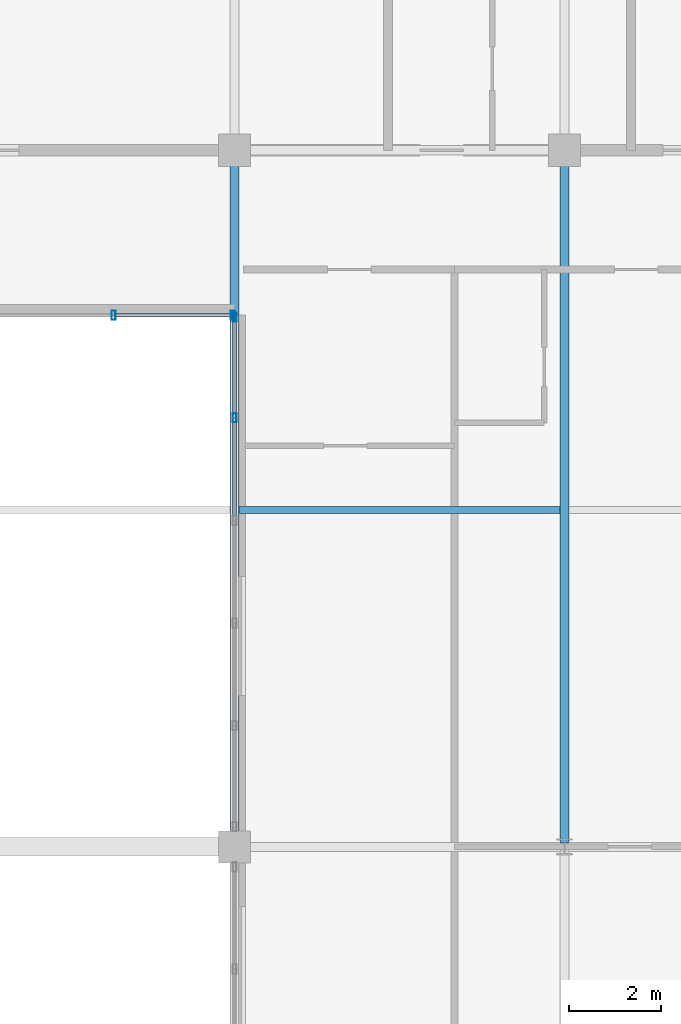
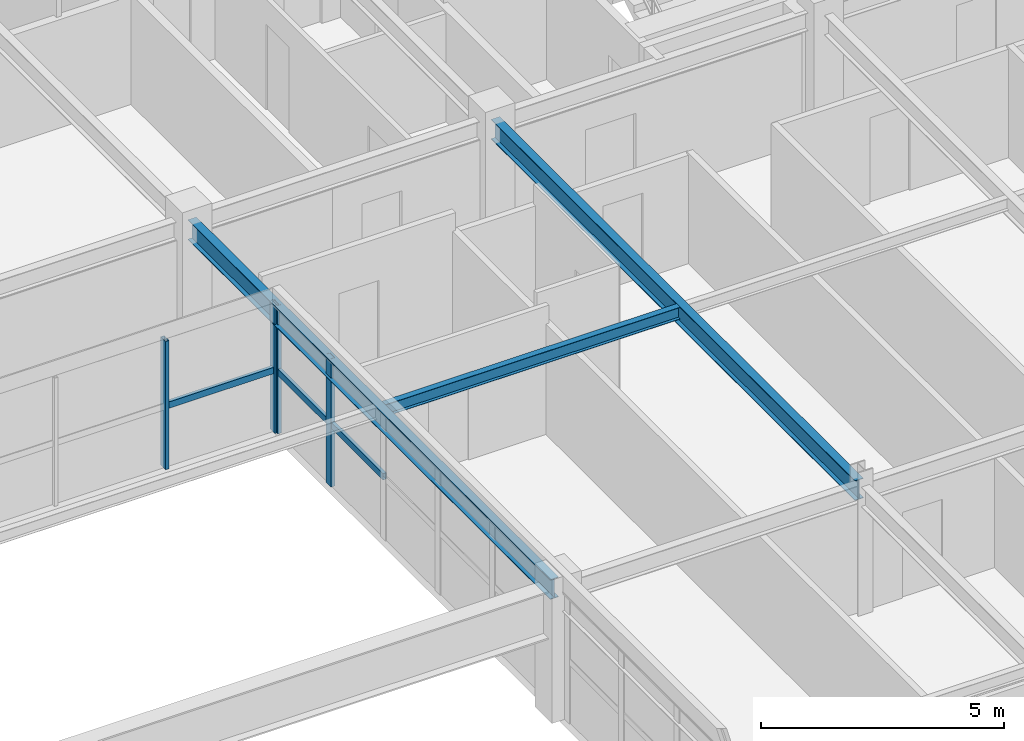
# One storey, part 17 of 37: 7 members, 3 beams, 2 elements without a shape of their own.
"""IFC4 building model written with IfcOpenShell, lengths in metres."""

from ifc_helpers import new_model, si_unit, direction, frame, origin, origin_2d, place, context, subcontext, project, spatial, hollow_rectangle, i_section, extrude, source, transform, mapped, material, material_profile, profile_set, type_object, element, aggregate, save


model = new_model("IFC4")

# Units and contexts
model_context = context("Model", 3, precision=1e-05, world=origin(), true_north=direction((0.0, 1.0)))
body_context = subcontext(model_context, "Body", "Model", "MODEL_VIEW")
ifc_project = project(units=[si_unit("LENGTHUNIT", "METRE"), si_unit("AREAUNIT", "SQUARE_METRE"), si_unit("VOLUMEUNIT", "CUBIC_METRE"), si_unit("PLANEANGLEUNIT", "RADIAN"), si_unit("MASSUNIT", "GRAM", prefix="KILO")], contexts=[model_context])

# Site, building, storey
site_placement = place(None, origin())
site = spatial("IfcSite", under=ifc_project, at=site_placement, CompositionType="ELEMENT")
building_placement = place(site_placement, origin())
building = spatial("IfcBuilding", under=site, at=building_placement, Name="Trelvane Seafront Commons", CompositionType="ELEMENT")
storey_placement = place(building_placement, frame((0.0, 0.0, 201.300048828125)))
storey = spatial("IfcBuildingStorey", under=building, at=storey_placement, Name="L52", CompositionType="ELEMENT", Elevation=201.300048828125)

# Beams
ifc_material_1 = material(Name="Steel SM355 (S355)", Category="steel")
ifc_material_profile_1 = material_profile(ifc_material_1, i_section(OverallWidth=0.199951171875, OverallDepth=0.5, WebThickness=0.010009765625, FlangeThickness=0.01611328125, at=origin_2d()), Name="H-500x200x10x16")
ifc_profile_set_1 = profile_set([ifc_material_profile_1], Name="Steel SM355 (S355)")
beam_type_1 = type_object("IfcBeamType", Name="STR-BM-H500", PredefinedType="BEAM", material=ifc_profile_set_1)
shared_shape_1 = source(origin(), body_context, "Body", "SweptSolid", [
    extrude(i_section(OverallWidth=0.199951171875, OverallDepth=0.5, WebThickness=0.010009765625, FlangeThickness=0.01611328125, at=origin_2d()), origin(), (0.0, 0.0, 1.0), 14.89990234375),
])
beam_1_placement = place(storey_placement, frame((43.800048828125, 18.35009765625, 2.969970703125), z_axis=(0.0, 1.0, 0.0), x_axis=(-1.0, 0.0, 0.0)))
element("IfcBeam", 1, at=beam_1_placement, inside=storey, type_object=beam_type_1, Name="L52 Primary Girder G-42", PredefinedType="BEAM", context=body_context, shape_type="MappedRepresentation", body=[
    mapped(shared_shape_1, transform((0.0, 0.0, 0.0), x_axis=(1.0, 0.0, 0.0), y_axis=(0.0, 1.0, 0.0), z_axis=(0.0, 0.0, 1.0), scale=1.0)),
])
shared_shape_2 = source(origin(), body_context, "Body", "SweptSolid", [
    extrude(i_section(OverallWidth=0.199951171875, OverallDepth=0.5, WebThickness=0.010009765625, FlangeThickness=0.01611328125, at=origin_2d()), origin(), (0.0, 0.0, 1.0), 14.96240234375),
])
beam_2_placement = place(storey_placement, frame((51.0, 18.28759765625, 2.969970703125), z_axis=(0.0, 1.0, 0.0), x_axis=(-1.0, 0.0, 0.0)))
element("IfcBeam", 2, at=beam_2_placement, inside=storey, type_object=beam_type_1, Name="L52 Primary Girder G-45", PredefinedType="BEAM", context=body_context, shape_type="MappedRepresentation", body=[
    mapped(shared_shape_2, transform((0.0, 0.0, 0.0), x_axis=(1.0, 0.0, 0.0), y_axis=(0.0, 1.0, 0.0), z_axis=(0.0, 0.0, 1.0), scale=1.0)),
])
ifc_material_profile_2 = material_profile(ifc_material_1, i_section(OverallWidth=0.14990234375, OverallDepth=0.300048828125, WebThickness=0.006591796875, FlangeThickness=0.009033203125, at=origin_2d()), Name="H-300x150x6.5x9")
ifc_profile_set_2 = profile_set([ifc_material_profile_2], Name="Steel SM355 (S355)")
beam_type_2 = type_object("IfcBeamType", Name="STR-JST-H300", PredefinedType="JOIST", material=ifc_profile_set_2)
shared_shape_3 = source(origin(), body_context, "Body", "SweptSolid", [
    extrude(i_section(OverallWidth=0.14990234375, OverallDepth=0.300048828125, WebThickness=0.006591796875, FlangeThickness=0.009033203125, at=origin_2d()), origin(), (0.0, 0.0, 1.0), 7.0),
])
beam_3_placement = place(storey_placement, frame((43.89990234375, 25.550048828125, 3.070068359375), z_axis=(1.0, 0.0, 0.0), x_axis=(0.0, 1.0, 0.0)))
element("IfcBeam", 3, at=beam_3_placement, inside=storey, type_object=beam_type_2, Name="L52 Secondary Floor Joist B-64", PredefinedType="JOIST", context=body_context, shape_type="MappedRepresentation", body=[
    mapped(shared_shape_3, transform((0.0, 0.0, 0.0), x_axis=(1.0, 0.0, 0.0), y_axis=(0.0, 1.0, 0.0), z_axis=(0.0, 0.0, 1.0), scale=1.0)),
])

# Curtain wall, members
ifc_material_2 = material(Name="Anodised pale-silver aluminium", Category="aluminium")
curtain_wall_type = type_object("IfcCurtainWallType", Name="ARCH-CW3-PORTAL", PredefinedType="NOTDEFINED", material=ifc_material_2)
curtain_wall_1_placement = place(storey_placement, origin())
curtain_wall_1 = element("IfcCurtainWall", 4, at=curtain_wall_1_placement, inside=storey, type_object=curtain_wall_type, Name="CW-L52-VP-0093", PredefinedType="NOTDEFINED")
ifc_material_profile_3 = material_profile(ifc_material_2, hollow_rectangle(XDim=0.090087890625, YDim=0.199951171875, WallThickness=0.0048828125, at=origin_2d()), Name="MULL-90x200x5")
ifc_profile_set_3 = profile_set([ifc_material_profile_3], Name="Anodised pale-silver aluminium")
member_type_1 = type_object("IfcMemberType", Name="ARCH-CW-MULL-200", PredefinedType="MULLION", material=ifc_profile_set_3)
shared_shape_4 = source(origin(), body_context, "Body", "SweptSolid", [
    extrude(hollow_rectangle(XDim=0.090087890625, YDim=0.199951171875, WallThickness=0.0048828125, at=origin_2d()), origin(), (0.0, 0.0, 1.0), 3.219970703125),
])
member_1_placement = place(storey_placement, frame((41.159912109375, 29.800048828125, 0.0), z_axis=(0.0, 0.0, 1.0), x_axis=(1.0, 0.0, 0.0)))
member_1 = element("IfcMember", 5, at=member_1_placement, type_object=member_type_1, Name="CW-L52-VP-0093-M04", PredefinedType="MULLION", context=body_context, shape_type="MappedRepresentation", body=[
    mapped(shared_shape_4, transform((0.0, 0.0, 0.0), x_axis=(1.0, 0.0, 0.0), y_axis=(0.0, 1.0, 0.0), z_axis=(0.0, 0.0, 1.0), scale=1.0)),
])
member_2_placement = place(storey_placement, frame((43.760009765625, 29.800048828125, 0.0), z_axis=(0.0, 0.0, 1.0), x_axis=(1.0, 0.0, 0.0)))
member_2 = element("IfcMember", 6, at=member_2_placement, type_object=member_type_1, Name="CW-L52-VP-0093-M05", PredefinedType="MULLION", context=body_context, shape_type="MappedRepresentation", body=[
    mapped(shared_shape_4, transform((0.0, 0.0, 0.0), x_axis=(1.0, 0.0, 0.0), y_axis=(0.0, 1.0, 0.0), z_axis=(0.0, 0.0, 1.0), scale=1.0)),
])

curtain_wall_2_placement = place(storey_placement, origin())
curtain_wall_2 = element("IfcCurtainWall", 7, at=curtain_wall_2_placement, inside=storey, type_object=curtain_wall_type, Name="CW-L52-VP-0094", PredefinedType="NOTDEFINED")
member_3_placement = place(storey_placement, frame((43.800048828125, 29.760009765625, 0.0), z_axis=(0.0, 0.0, 1.0), x_axis=(1.0, 0.0, 0.0)))
member_3 = element("IfcMember", 8, at=member_3_placement, type_object=member_type_1, Name="CW-L52-VP-0094-M00", PredefinedType="MULLION", context=body_context, shape_type="MappedRepresentation", body=[
    mapped(shared_shape_4, transform((0.0, 0.0, 0.0), x_axis=(1.0, 0.0, 0.0), y_axis=(0.0, 1.0, 0.0), z_axis=(0.0, 0.0, 1.0), scale=1.0)),
])
member_4_placement = place(storey_placement, frame((43.800048828125, 27.56005859375, 0.0), z_axis=(0.0, 0.0, 1.0), x_axis=(1.0, 0.0, 0.0)))
member_4 = element("IfcMember", 9, at=member_4_placement, type_object=member_type_1, Name="CW-L52-VP-0094-M01", PredefinedType="MULLION", context=body_context, shape_type="MappedRepresentation", body=[
    mapped(shared_shape_4, transform((0.0, 0.0, 0.0), x_axis=(1.0, 0.0, 0.0), y_axis=(0.0, 1.0, 0.0), z_axis=(0.0, 0.0, 1.0), scale=1.0)),
])
ifc_material_profile_4 = material_profile(ifc_material_2, hollow_rectangle(XDim=0.080078125, YDim=0.159912109375, WallThickness=0.00439453125, at=origin_2d()), Name="TRAN-80x160x4.5")
ifc_profile_set_4 = profile_set([ifc_material_profile_4], Name="Anodised pale-silver aluminium")
member_type_2 = type_object("IfcMemberType", Name="ARCH-CW-TRAN-160", PredefinedType="USERDEFINED", material=ifc_profile_set_4)
shared_shape_5 = source(origin(), body_context, "Body", "SweptSolid", [
    extrude(hollow_rectangle(XDim=0.080078125, YDim=0.159912109375, WallThickness=0.00439453125, at=origin_2d()), origin(), (0.0, 0.0, 1.0), 2.216064453125),
])
member_5_placement = place(storey_placement, frame((43.800048828125, 29.7880859375, 1.5458984375), z_axis=(0.0, -1.0, 0.0), x_axis=(1.0, 0.0, 0.0)))
member_5 = element("IfcMember", 10, at=member_5_placement, type_object=member_type_2, Name="CW-L52-VP-0094-T00", ObjectType="TRANSOM", PredefinedType="USERDEFINED", context=body_context, shape_type="MappedRepresentation", body=[
    mapped(shared_shape_5, transform((0.0, 0.0, 0.0), x_axis=(1.0, 0.0, 0.0), y_axis=(0.0, 1.0, 0.0), z_axis=(0.0, 0.0, 1.0), scale=1.0)),
])
member_6_placement = place(storey_placement, frame((43.800048828125, 27.548095703125, 1.5458984375), z_axis=(0.0, -1.0, 0.0), x_axis=(1.0, 0.0, 0.0)))
member_6 = element("IfcMember", 11, at=member_6_placement, type_object=member_type_2, Name="CW-L52-VP-0094-T01", ObjectType="TRANSOM", PredefinedType="USERDEFINED", context=body_context, shape_type="MappedRepresentation", body=[
    mapped(shared_shape_5, transform((0.0, 0.0, 0.0), x_axis=(1.0, 0.0, 0.0), y_axis=(0.0, 1.0, 0.0), z_axis=(0.0, 0.0, 1.0), scale=1.0)),
])
aggregate(curtain_wall_2, [member_3, member_4, member_5, member_6])

# Member
shared_shape_6 = source(origin(), body_context, "Body", "SweptSolid", [
    extrude(hollow_rectangle(XDim=0.080078125, YDim=0.159912109375, WallThickness=0.00439453125, at=origin_2d()), origin(), (0.0, 0.0, 1.0), 2.615966796875),
])
member_7_placement = place(storey_placement, frame((41.172119140625, 29.800048828125, 1.5458984375), z_axis=(1.0, 0.0, 0.0), x_axis=(0.0, 1.0, 0.0)))
member_7 = element("IfcMember", 12, at=member_7_placement, type_object=member_type_2, Name="CW-L52-VP-0093-T04", ObjectType="TRANSOM", PredefinedType="USERDEFINED", context=body_context, shape_type="MappedRepresentation", body=[
    mapped(shared_shape_6, transform((0.0, 0.0, 0.0), x_axis=(1.0, 0.0, 0.0), y_axis=(0.0, 1.0, 0.0), z_axis=(0.0, 0.0, 1.0), scale=1.0)),
])

aggregate(curtain_wall_1, [member_1, member_2, member_7])

save(model, "model.ifc")
